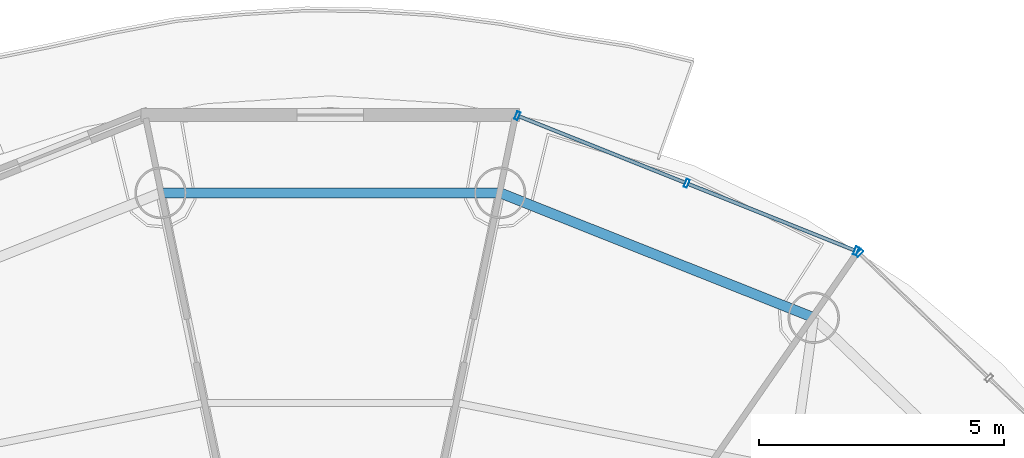
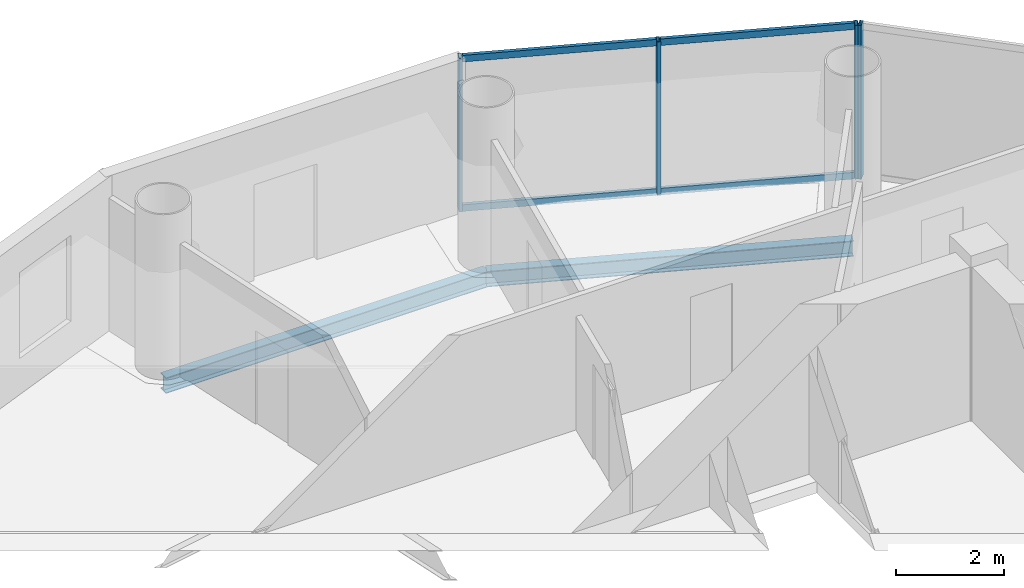
# One storey, part 15 of 24: 8 members, 2 beams, 2 elements without a shape of their own.
"""IFC4 building model written with IfcOpenShell, lengths in metres."""

import ifcopenshell
import ifcopenshell.guid

model = None  # the IFC model being written
_history = None  # IfcOwnerHistory: only IFC2X3 demands one
_inside = {}  # id of a spatial element -> (the spatial element, [elements in it])
_under = {}  # id of a project, library or spatial element -> (it, [spatial elements below it])
_declared = {}  # id of a project -> (the project, [libraries it declares])
_typed = {}  # id of a type object -> (the type object, [elements of that type])
_made_of = {}  # id of a material, layer set ... -> (it, [elements and type objects made of it])


def new_model(schema):
    """Start an empty IFC model of exactly this schema.

    Asked for "IFC4X3", IfcOpenShell would pick the latest addendum, in which some entities
    have other attributes; the version numbers below select the first issue.
    IFC2X3 requires an IfcOwnerHistory on every rooted entity: one is made here for all.
    """
    global model, _history
    if schema == "IFC4X3":
        model = ifcopenshell.file(schema_version=(4, 3, 0, 0))
    else:
        model = ifcopenshell.file(schema=schema)
    _inside.clear()
    _under.clear()
    _declared.clear()
    _typed.clear()
    _made_of.clear()
    _history = None
    if model.schema == "IFC2X3":
        org = make("IfcOrganization", Name="unknown")
        user = make(
            "IfcPersonAndOrganization",
            ThePerson=make("IfcPerson", FamilyName="unknown"),
            TheOrganization=org,
        )
        app = make(
            "IfcApplication",
            ApplicationDeveloper=org,
            Version="unknown",
            ApplicationFullName="unknown",
            ApplicationIdentifier="unknown",
        )
        _history = make(
            "IfcOwnerHistory",
            OwningUser=user,
            OwningApplication=app,
            ChangeAction="ADDED",
            CreationDate=0,
        )
    return model


def make(cls, **values):
    """One entity of the class cls with the attributes given. An attribute that is None is left unset."""
    return model.create_entity(
        cls, **{name: value for name, value in values.items() if value is not None}
    )


def rooted(cls, **values):
    """An entity with a GlobalId (a new one), such as an element, a storey or a relation."""
    return make(cls, GlobalId=ifcopenshell.guid.new(), OwnerHistory=_history, **values)


def si_unit(unit_type, name, prefix=None):
    """IfcSIUnit, for example si_unit("LENGTHUNIT", "METRE", prefix="MILLI")."""
    return make("IfcSIUnit", UnitType=unit_type, Prefix=prefix, Name=name)


def assignment(units):
    """IfcUnitAssignment: the units of a project."""
    return None if units is None else make("IfcUnitAssignment", Units=units)


def point(xyz):
    """IfcCartesianPoint."""
    return None if xyz is None else make("IfcCartesianPoint", Coordinates=xyz)


def direction(xyz):
    """IfcDirection."""
    return None if xyz is None else make("IfcDirection", DirectionRatios=xyz)


def frame(location, z_axis=None, x_axis=None):
    """IfcAxis2Placement3D, a coordinate frame: its origin and axes. An axis left out is left unset."""
    return make(
        "IfcAxis2Placement3D",
        Location=point(location),
        Axis=direction(z_axis),
        RefDirection=direction(x_axis),
    )


def frame_2d(location, x_axis=None):
    """IfcAxis2Placement2D, a coordinate frame in the plane: its origin and x axis."""
    return make(
        "IfcAxis2Placement2D", Location=point(location), RefDirection=direction(x_axis)
    )


def origin():
    """The frame at (0, 0, 0) with its axes left unset."""
    return frame((0.0, 0.0, 0.0))


def origin_2d():
    """The frame at (0, 0) in the plane with its x axis left unset."""
    return frame_2d((0.0, 0.0))


def place(relative_to, where):
    """IfcLocalPlacement: puts the frame where relative to a parent placement (None: the world)."""
    return make(
        "IfcLocalPlacement", PlacementRelTo=relative_to, RelativePlacement=where
    )


def context(
    kind, dimensions, precision=None, world=None, true_north=None, identifier=None
):
    """IfcGeometricRepresentationContext, for example the 3D "Model" context."""
    return make(
        "IfcGeometricRepresentationContext",
        ContextIdentifier=identifier,
        ContextType=kind,
        CoordinateSpaceDimension=dimensions,
        Precision=precision,
        WorldCoordinateSystem=world,
        TrueNorth=true_north,
    )


def subcontext(parent, identifier, kind, view, scale=None):
    """IfcGeometricRepresentationSubContext, for example "Body" below "Model"."""
    return make(
        "IfcGeometricRepresentationSubContext",
        ContextIdentifier=identifier,
        ContextType=kind,
        ParentContext=parent,
        TargetScale=scale,
        TargetView=view,
    )


def project(units=None, contexts=None):
    """IfcProject with its units and contexts."""
    return rooted(
        "IfcProject",
        Name="project",
        RepresentationContexts=contexts,
        UnitsInContext=assignment(units),
    )


def spatial(cls, under=None, at=None, **own):
    """A site, building, storey or space (cls), placed at a placement, below another one or the project."""
    s = rooted(cls, ObjectPlacement=at, **own)
    if under is not None:
        _under.setdefault(under.id(), (under, []))[1].append(s)
    return s


def profile(cls, at=None, kind="AREA", **sizes):
    """A parametric profile (cls). Its sizes go by their IFC names, for example OverallWidth=200.0."""
    return make(cls, ProfileType=kind, Position=at, **sizes)


def hollow_rectangle(**sizes):
    """IfcRectangleHollowProfileDef."""
    return profile("IfcRectangleHollowProfileDef", **sizes)


def i_section(**sizes):
    """IfcIShapeProfileDef."""
    return profile("IfcIShapeProfileDef", **sizes)


def extrude(swept, where, along, depth):
    """IfcExtrudedAreaSolid: the profile swept, set in the frame where, extruded along a direction by depth."""
    return make(
        "IfcExtrudedAreaSolid",
        SweptArea=swept,
        Position=where,
        ExtrudedDirection=direction(along),
        Depth=depth,
    )


def shape(context_of_items, identifier, shape_type, items):
    """IfcShapeRepresentation: the items that make up one representation, for example the "Body"."""
    return make(
        "IfcShapeRepresentation",
        ContextOfItems=context_of_items,
        RepresentationIdentifier=identifier,
        RepresentationType=shape_type,
        Items=items,
    )


def source(mapping_origin, context_of_items, identifier, shape_type, items):
    """IfcRepresentationMap: a shape defined once, which mapped items show again and again."""
    return make(
        "IfcRepresentationMap",
        MappingOrigin=mapping_origin,
        MappedRepresentation=shape(context_of_items, identifier, shape_type, items),
    )


def transform(
    local_origin,
    x_axis=None,
    y_axis=None,
    z_axis=None,
    scale=None,
    scale2=None,
    scale3=None,
    uniform=True,
):
    """IfcCartesianTransformationOperator3D, or its non-uniform kind. x_axis, y_axis, z_axis: its Axis1, 2, 3."""
    if uniform:
        return make(
            "IfcCartesianTransformationOperator3D",
            Axis1=direction(x_axis),
            Axis2=direction(y_axis),
            LocalOrigin=point(local_origin),
            Scale=scale,
            Axis3=direction(z_axis),
        )
    return make(
        "IfcCartesianTransformationOperator3DnonUniform",
        Axis1=direction(x_axis),
        Axis2=direction(y_axis),
        LocalOrigin=point(local_origin),
        Scale=scale,
        Axis3=direction(z_axis),
        Scale2=scale2,
        Scale3=scale3,
    )


def mapped(mapping_source, mapping_target):
    """IfcMappedItem: shows the shape of a source again, moved by a transform."""
    return make(
        "IfcMappedItem", MappingSource=mapping_source, MappingTarget=mapping_target
    )


def material(Name=None, Category=None):
    """IfcMaterial."""
    return make("IfcMaterial", Name=Name, Category=Category)


def material_profile(
    of_material, cross_section, Name=None, Category=None, Priority=None
):
    """IfcMaterialProfile: a cross section and its material."""
    return make(
        "IfcMaterialProfile",
        Name=Name,
        Material=of_material,
        Profile=cross_section,
        Priority=Priority,
        Category=Category,
    )


def profile_set(profiles, Name=None, composite=None):
    """IfcMaterialProfileSet."""
    return make(
        "IfcMaterialProfileSet",
        Name=Name,
        MaterialProfiles=profiles,
        CompositeProfile=composite,
    )


def made_of(thing, what):
    """Note that an element or type object is made of a material, layer set ...; save() writes the relation."""
    if what is not None:
        _made_of.setdefault(what.id(), (what, []))[1].append(thing)
    return thing


def type_object(cls, material=None, **own):
    """A type object (cls), such as IfcWallType, which elements share."""
    return made_of(rooted(cls, **own), material)


def element(
    cls,
    number,
    at=None,
    inside=None,
    cuts=None,
    type_object=None,
    material=None,
    context=None,
    identifier="Body",
    shape_type=None,
    held_by="IfcProductDefinitionShape",
    body=None,
    shapes=None,
    **own,
):
    """One element of the class cls, such as IfcWall. Its Tag is "e" and its number.

    at: its placement. inside: the storey or other place that contains it. cuts: it is an
    opening in that element (IfcRelVoidsElement). A single representation is given by context,
    identifier, shape_type and body (its items); several are given by shapes. held_by: the class
    of the entity that holds the representations. save() writes the other relations.
    """
    e = rooted(cls, Tag="e%d" % number, ObjectPlacement=at, **own)
    if body is not None:
        shapes = [shape(context, identifier, shape_type, body)]
    if shapes is not None:
        e.Representation = make(held_by, Representations=shapes)
    if inside is not None:
        _inside.setdefault(inside.id(), (inside, []))[1].append(e)
    if cuts is not None:
        rooted(
            "IfcRelVoidsElement", RelatingBuildingElement=cuts, RelatedOpeningElement=e
        )
    if type_object is not None:
        _typed.setdefault(type_object.id(), (type_object, []))[1].append(e)
    return made_of(e, material)


def aggregate(whole, parts):
    """IfcRelAggregates: a whole, such as a stair, and the parts it consists of."""
    return rooted("IfcRelAggregates", RelatingObject=whole, RelatedObjects=parts)


def save(model, path):
    """Write the relations noted so far, then the file.

    IfcRelAggregates (storeys below a building ...), IfcRelContainedInSpatialStructure (elements
    in a storey), IfcRelDefinesByType, IfcRelAssociatesMaterial and IfcRelDeclares: one each for
    every whole, place, type object, material and project.
    """
    for whole, parts in _under.values():
        aggregate(whole, parts)
    for where, things in _inside.values():
        rooted(
            "IfcRelContainedInSpatialStructure",
            RelatedElements=things,
            RelatingStructure=where,
        )
    for kind, things in _typed.values():
        rooted("IfcRelDefinesByType", RelatedObjects=things, RelatingType=kind)
    for what, things in _made_of.values():
        rooted("IfcRelAssociatesMaterial", RelatedObjects=things, RelatingMaterial=what)
    for by, libraries in _declared.values():
        rooted("IfcRelDeclares", RelatingContext=by, RelatedDefinitions=libraries)
    model.write(path)


model = new_model("IFC4")

# Units and contexts
model_context = context("Model", 3, precision=1e-05, world=origin(), true_north=direction((-0.2419218956, 0.970295726276)))
body_context = subcontext(model_context, "Body", "Model", "MODEL_VIEW")
ifc_project = project(units=[si_unit("LENGTHUNIT", "METRE"), si_unit("AREAUNIT", "SQUARE_METRE"), si_unit("VOLUMEUNIT", "CUBIC_METRE"), si_unit("PLANEANGLEUNIT", "RADIAN"), si_unit("MASSUNIT", "GRAM", prefix="KILO")], contexts=[model_context])

# Site, building, storey
site_placement = place(None, origin())
site = spatial("IfcSite", under=ifc_project, at=site_placement, CompositionType="ELEMENT")
building_placement = place(site_placement, origin())
building = spatial("IfcBuilding", under=site, at=building_placement, Name="Cobrevalo Terracotta Tower", CompositionType="ELEMENT")
storey_placement = place(building_placement, frame((0.0, 0.0, 293.199951171875)))
storey = spatial("IfcBuildingStorey", under=building, at=storey_placement, Name="L77", CompositionType="ELEMENT", Elevation=293.199951171875)

# Beams
ifc_material_1 = material(Name="Steel S355", Category="steel")
ifc_material_profile_1 = material_profile(ifc_material_1, i_section(OverallWidth=0.205078125, OverallDepth=0.35400390625, WebThickness=0.009521484375, FlangeThickness=0.016845703125, at=origin_2d()), Name="W 360x79")
ifc_profile_set_1 = profile_set([ifc_material_profile_1], Name="Steel S355")
beam_type = type_object("IfcBeamType", Name="Structural Spandrel W 360x79 (Steel S355)", PredefinedType="SPANDREL", material=ifc_profile_set_1)
beam_1_placement = place(storey_placement, frame((47.861328125, 40.9765625, -0.43701171875), z_axis=(-0.929149986048, 0.369702993533, 0.0), x_axis=(-0.369702993533, -0.929149986048, 0.0)))
element("IfcBeam", 1, at=beam_1_placement, inside=storey, type_object=beam_type, Name="L77 perimeter ring spandrel 03", PredefinedType="SPANDREL", context=body_context, shape_type="SweptSolid", body=[
    extrude(i_section(OverallWidth=0.205078125, OverallDepth=0.35400390625, WebThickness=0.009521484375, FlangeThickness=0.016845703125, at=origin_2d()), origin(), (0.0, 0.0, 1.0), 6.88623046875),
])
beam_2_placement = place(storey_placement, frame((41.462890625, 43.5224609375, -0.43701171875), z_axis=(-1.0, 0.0, 0.0), x_axis=(0.0, -1.0, 0.0)))
element("IfcBeam", 2, at=beam_2_placement, inside=storey, type_object=beam_type, Name="L77 perimeter ring spandrel 04", PredefinedType="SPANDREL", context=body_context, shape_type="SweptSolid", body=[
    extrude(i_section(OverallWidth=0.205078125, OverallDepth=0.35400390625, WebThickness=0.009521484375, FlangeThickness=0.016845703125, at=origin_2d()), origin(), (0.0, 0.0, 1.0), 6.92578125),
])

# Curtain wall, member
ifc_material_2 = material(Name="Anodized aluminium", Category="aluminium")
curtain_wall_type = type_object("IfcCurtainWallType", Name="Upper-tower triple-glazed penthouse curtain wall CW-U3", PredefinedType="NOTDEFINED", material=ifc_material_2)
curtain_wall_1_placement = place(storey_placement, origin())
curtain_wall_1 = element("IfcCurtainWall", 3, at=curtain_wall_1_placement, inside=storey, type_object=curtain_wall_type, Name="L77 curtain wall CW-L77-S02", PredefinedType="NOTDEFINED")
ifc_material_profile_2 = material_profile(ifc_material_2, hollow_rectangle(XDim=0.070068359375, YDim=0.169921875, WallThickness=0.00439453125, at=origin_2d()), Name="CWM 70x170")
ifc_profile_set_2 = profile_set([ifc_material_profile_2], Name="Anodized aluminium")
member_type_1 = type_object("IfcMemberType", Name="Upper tower unitised mullion 70x170", PredefinedType="MULLION", material=ifc_profile_set_2)
shared_shape_1 = source(origin(), body_context, "Body", "SweptSolid", [
    extrude(hollow_rectangle(XDim=0.070068359375, YDim=0.169921875, WallThickness=0.00439453125, at=origin_2d()), origin(), (0.0, 0.0, 1.0), 3.489990234375),
])
member_1_placement = place(storey_placement, frame((48.790283203125, 42.2958984375, 0.0), z_axis=(0.0, 0.0, 1.0), x_axis=(-0.71999418085, 0.69398010025, 0.0)))
member_1 = element("IfcMember", 4, at=member_1_placement, type_object=member_type_1, Name="CW-L77-S02 vertical mullion 03", PredefinedType="MULLION", context=body_context, shape_type="MappedRepresentation", body=[
    mapped(shared_shape_1, transform((0.0, 0.0, 0.0), scale=1.0)),
])
aggregate(curtain_wall_1, [member_1])

# Curtain wall, members
curtain_wall_2_placement = place(storey_placement, origin())
curtain_wall_2 = element("IfcCurtainWall", 5, at=curtain_wall_2_placement, inside=storey, type_object=curtain_wall_type, Name="L77 curtain wall CW-L77-S03", PredefinedType="NOTDEFINED")
member_2_placement = place(storey_placement, frame((48.724365234375, 42.33837890625, 0.0), z_axis=(0.0, 0.0, 1.0), x_axis=(-0.928718980883, 0.370784377433, 0.0)))
member_2 = element("IfcMember", 6, at=member_2_placement, type_object=member_type_1, Name="CW-L77-S03 vertical mullion 01", PredefinedType="MULLION", context=body_context, shape_type="MappedRepresentation", body=[
    mapped(shared_shape_1, transform((0.0, 0.0, 0.0), scale=1.0)),
])
member_3_placement = place(storey_placement, frame((45.270263671875, 43.71728515625, 0.0), z_axis=(0.0, 0.0, 1.0), x_axis=(-0.928718980883, 0.370784377433, 0.0)))
member_3 = element("IfcMember", 7, at=member_3_placement, type_object=member_type_1, Name="CW-L77-S03 vertical mullion 02", PredefinedType="MULLION", context=body_context, shape_type="MappedRepresentation", body=[
    mapped(shared_shape_1, transform((0.0, 0.0, 0.0), scale=1.0)),
])
member_4_placement = place(storey_placement, frame((41.816162109375, 45.096435546875, 0.0), z_axis=(0.0, 0.0, 1.0), x_axis=(-0.928718980883, 0.370784377433, 0.0)))
member_4 = element("IfcMember", 8, at=member_4_placement, type_object=member_type_1, Name="CW-L77-S03 vertical mullion 03", PredefinedType="MULLION", context=body_context, shape_type="MappedRepresentation", body=[
    mapped(shared_shape_1, transform((0.0, 0.0, 0.0), scale=1.0)),
])
ifc_material_profile_3 = material_profile(ifc_material_2, hollow_rectangle(XDim=0.074951171875, YDim=0.14990234375, WallThickness=0.00439453125, at=origin_2d()), Name="CWT 75x150")
ifc_profile_set_3 = profile_set([ifc_material_profile_3], Name="Anodized aluminium")
member_type_2 = type_object("IfcMemberType", Name="Tower unitised aluminium transom 75x150", PredefinedType="USERDEFINED", material=ifc_profile_set_3)
shared_shape_2 = source(origin(), body_context, "Body", "SweptSolid", [
    extrude(hollow_rectangle(XDim=0.074951171875, YDim=0.14990234375, WallThickness=0.00439453125, at=origin_2d()), origin(), (0.0, 0.0, 1.0), 3.63916015625),
])
member_5_placement = place(storey_placement, frame((48.68701171875, 42.353271484375, 0.050048828125), z_axis=(-0.928712471544, 0.370800681227, 0.0), x_axis=(-0.370800681227, -0.928712471544, 0.0)))
member_5 = element("IfcMember", 9, at=member_5_placement, type_object=member_type_2, Name="CW-L77-S03 transom B01-T1", ObjectType="TRANSOM", PredefinedType="USERDEFINED", context=body_context, shape_type="MappedRepresentation", body=[
    mapped(shared_shape_2, transform((0.0, 0.0, 0.0), scale=1.0)),
])
member_6_placement = place(storey_placement, frame((48.68701171875, 42.353271484375, 3.43994140625), z_axis=(-0.928712471544, 0.370800681227, 0.0), x_axis=(-0.370800681227, -0.928712471544, 0.0)))
member_6 = element("IfcMember", 10, at=member_6_placement, type_object=member_type_2, Name="CW-L77-S03 transom B01-T2", ObjectType="TRANSOM", PredefinedType="USERDEFINED", context=body_context, shape_type="MappedRepresentation", body=[
    mapped(shared_shape_2, transform((0.0, 0.0, 0.0), scale=1.0)),
])
member_7_placement = place(storey_placement, frame((45.23291015625, 43.732177734375, 0.050048828125), z_axis=(-0.928712471544, 0.370800681227, 0.0), x_axis=(-0.370800681227, -0.928712471544, 0.0)))
member_7 = element("IfcMember", 11, at=member_7_placement, type_object=member_type_2, Name="CW-L77-S03 transom B02-T1", ObjectType="TRANSOM", PredefinedType="USERDEFINED", context=body_context, shape_type="MappedRepresentation", body=[
    mapped(shared_shape_2, transform((0.0, 0.0, 0.0), scale=1.0)),
])
member_8_placement = place(storey_placement, frame((45.23291015625, 43.732177734375, 3.43994140625), z_axis=(-0.928712471544, 0.370800681227, 0.0), x_axis=(-0.370800681227, -0.928712471544, 0.0)))
member_8 = element("IfcMember", 12, at=member_8_placement, type_object=member_type_2, Name="CW-L77-S03 transom B02-T2", ObjectType="TRANSOM", PredefinedType="USERDEFINED", context=body_context, shape_type="MappedRepresentation", body=[
    mapped(shared_shape_2, transform((0.0, 0.0, 0.0), scale=1.0)),
])
aggregate(curtain_wall_2, [member_2, member_3, member_4, member_5, member_6, member_7, member_8])

save(model, "model.ifc")
